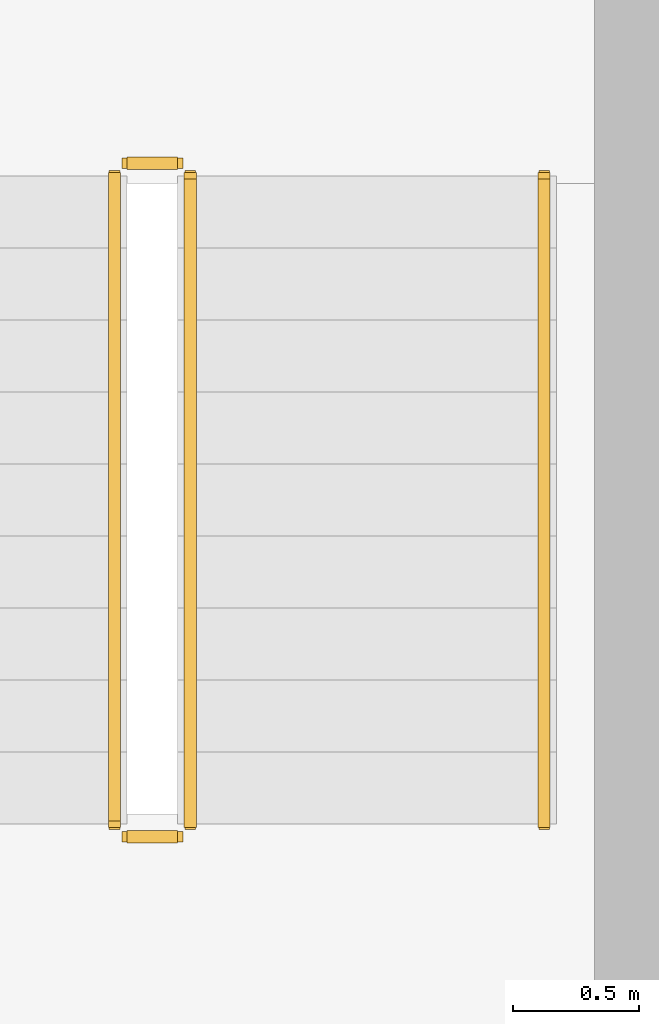
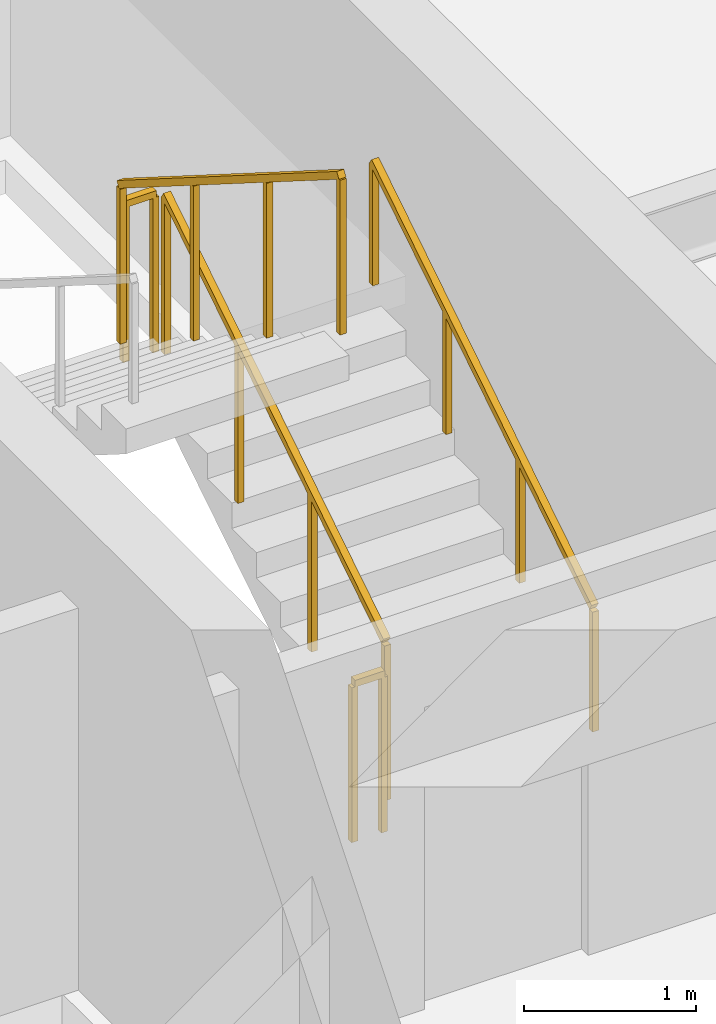
# One storey, part 22 of 22: 5 railings.
"""IFC4 building model written with IfcOpenShell, lengths in metres."""

from ifc_helpers import new_model, si_unit, direction, frame, origin, origin_2d, place, context, subcontext, project, spatial, rectangle, extrude, material, type_object, element, save


model = new_model("IFC4")

# Units and contexts
model_context = context("Model", 3, precision=1e-05, world=origin(), true_north=direction((0.0, 1.0)))
body_context = subcontext(model_context, "Body", "Model", "MODEL_VIEW")
ifc_project = project(units=[si_unit("LENGTHUNIT", "METRE"), si_unit("AREAUNIT", "SQUARE_METRE"), si_unit("VOLUMEUNIT", "CUBIC_METRE"), si_unit("PLANEANGLEUNIT", "RADIAN"), si_unit("MASSUNIT", "GRAM", prefix="KILO")], contexts=[model_context])

# Site, building, storey
site_placement = place(None, origin())
site = spatial("IfcSite", under=ifc_project, at=site_placement, CompositionType="ELEMENT")
building_placement = place(site_placement, origin())
building = spatial("IfcBuilding", under=site, at=building_placement, Name="Sarneth Arch Tower", CompositionType="ELEMENT")
storey_placement = place(building_placement, frame((0.0, 0.0, 213.60009765625)))
storey = spatial("IfcBuildingStorey", under=building, at=storey_placement, Name="L54", CompositionType="ELEMENT", Elevation=213.60009765625)

# Railings
ifc_material_1 = material(Name="Brushed Stainless Steel 304 tubular handrail", Category="steel")
railing_type_1 = type_object("IfcRailingType", Name="RAIL-HANDRAIL-900", PredefinedType="HANDRAIL", material=ifc_material_1)
railing_1_placement = place(storey_placement, frame((58.60009765625, 41.449951171875, 0.179931640625)))
element("IfcRailing", 1, at=railing_1_placement, inside=storey, type_object=railing_type_1, Name="L54 ST-2 stair handrail 1", PredefinedType="HANDRAIL", context=body_context, shape_type="SweptSolid", body=[
    extrude(rectangle(XDim=0.048095703125, YDim=0.048095703125, at=origin_2d()), frame((0.0, 0.0, 0.8759765625), z_axis=(0.0, 0.845502289212, 0.533971796014), x_axis=(-1.0, 0.0, 0.0)), (0.0, 0.0, 1.0), 3.03369140625),
    extrude(rectangle(XDim=0.0419921875, YDim=0.0419921875, at=origin_2d()), origin(), (0.0, 0.0, 1.0), 0.851806640625),
    extrude(rectangle(XDim=0.0419921875, YDim=0.0419921875, at=origin_2d()), frame((0.0, 0.85498046875, 0.5400390625)), (0.0, 0.0, 1.0), 0.851806640625),
    extrude(rectangle(XDim=0.0419921875, YDim=0.0419921875, at=origin_2d()), frame((0.0, 1.7099609375, 1.079833984375)), (0.0, 0.0, 1.0), 0.851806640625),
    extrude(rectangle(XDim=0.0419921875, YDim=0.0419921875, at=origin_2d()), frame((0.0, 2.56494140625, 1.619873046875)), (0.0, 0.0, 1.0), 0.851806640625),
])
ifc_material_2 = material(Name="Painted Steel S275 stair well guard", Category="steel")
railing_type_2 = type_object("IfcRailingType", Name="RAIL-STAIR-GUARD", PredefinedType="GUARDRAIL", material=ifc_material_2)
railing_2_placement = place(storey_placement, frame((57.199951171875, 41.449951171875, 0.179931640625)))
element("IfcRailing", 2, at=railing_2_placement, inside=storey, type_object=railing_type_2, Name="L54 ST-2 stair guard 1", PredefinedType="GUARDRAIL", context=body_context, shape_type="SweptSolid", body=[
    extrude(rectangle(XDim=0.048095703125, YDim=0.048095703125, at=origin_2d()), frame((0.0, 0.0, 1.1259765625), z_axis=(0.0, 0.845502289212, 0.533971796014), x_axis=(-1.0, 0.0, 0.0)), (0.0, 0.0, 1.0), 3.03369140625),
    extrude(rectangle(XDim=0.0419921875, YDim=0.0419921875, at=origin_2d()), origin(), (0.0, 0.0, 1.0), 1.101806640625),
    extrude(rectangle(XDim=0.0419921875, YDim=0.0419921875, at=origin_2d()), frame((0.0, 0.85498046875, 0.5400390625)), (0.0, 0.0, 1.0), 1.101806640625),
    extrude(rectangle(XDim=0.0419921875, YDim=0.0419921875, at=origin_2d()), frame((0.0, 1.7099609375, 1.079833984375)), (0.0, 0.0, 1.0), 1.101806640625),
    extrude(rectangle(XDim=0.0419921875, YDim=0.0419921875, at=origin_2d()), frame((0.0, 2.56494140625, 1.619873046875)), (0.0, 0.0, 1.0), 1.101806640625),
])
railing_3_placement = place(storey_placement, frame((57.14990234375, 44.06494140625, 1.7998046875)))
element("IfcRailing", 3, at=railing_3_placement, inside=storey, type_object=railing_type_2, Name="L54 ST-2 stair guard 2", PredefinedType="GUARDRAIL", context=body_context, shape_type="SweptSolid", body=[
    extrude(rectangle(XDim=0.048095703125, YDim=0.048095703125, at=origin_2d()), frame((0.0, 0.0, 1.1259765625), z_axis=(-1.0, 0.0, 0.0), x_axis=(0.0, -1.0, 0.0)), (0.0, 0.0, 1.0), 0.199951171875),
    extrude(rectangle(XDim=0.0419921875, YDim=0.0419921875, at=origin_2d()), origin(), (0.0, 0.0, 1.0), 1.101806640625),
    extrude(rectangle(XDim=0.0419921875, YDim=0.0419921875, at=origin_2d()), frame((-0.199951171875, 0.0, 0.0)), (0.0, 0.0, 1.0), 1.101806640625),
])
railing_4_placement = place(storey_placement, frame((56.89990234375, 44.014892578125, 1.97998046875)))
element("IfcRailing", 4, at=railing_4_placement, inside=storey, type_object=railing_type_2, Name="L54 ST-2 stair guard 3", PredefinedType="GUARDRAIL", context=body_context, shape_type="SweptSolid", body=[
    extrude(rectangle(XDim=0.048095703125, YDim=0.048095703125, at=origin_2d()), frame((0.0, 0.0, 1.1259765625), z_axis=(0.0, -0.845502289212, 0.533971796014), x_axis=(1.0, 0.0, 0.0)), (0.0, 0.0, 1.0), 3.03369140625),
    extrude(rectangle(XDim=0.0419921875, YDim=0.0419921875, at=origin_2d()), origin(), (0.0, 0.0, 1.0), 1.101806640625),
    extrude(rectangle(XDim=0.0419921875, YDim=0.0419921875, at=origin_2d()), frame((0.0, -0.85498046875, 0.5400390625)), (0.0, 0.0, 1.0), 1.101806640625),
    extrude(rectangle(XDim=0.0419921875, YDim=0.0419921875, at=origin_2d()), frame((0.0, -1.7099609375, 1.079833984375)), (0.0, 0.0, 1.0), 1.101806640625),
    extrude(rectangle(XDim=0.0419921875, YDim=0.0419921875, at=origin_2d()), frame((0.0, -2.56494140625, 1.619873046875)), (0.0, 0.0, 1.0), 1.101806640625),
])
railing_5_placement = place(storey_placement, frame((57.14990234375, 41.39990234375, 0.0)))
element("IfcRailing", 5, at=railing_5_placement, inside=storey, type_object=railing_type_2, Name="L54 ST-2 stair guard 4", PredefinedType="GUARDRAIL", context=body_context, shape_type="SweptSolid", body=[
    extrude(rectangle(XDim=0.048095703125, YDim=0.048095703125, at=origin_2d()), frame((0.0, 0.0, 1.1259765625), z_axis=(-1.0, 0.0, 0.0), x_axis=(0.0, -1.0, 0.0)), (0.0, 0.0, 1.0), 0.199951171875),
    extrude(rectangle(XDim=0.0419921875, YDim=0.0419921875, at=origin_2d()), origin(), (0.0, 0.0, 1.0), 1.101806640625),
    extrude(rectangle(XDim=0.0419921875, YDim=0.0419921875, at=origin_2d()), frame((-0.199951171875, 0.0, 0.0)), (0.0, 0.0, 1.0), 1.101806640625),
])

save(model, "model.ifc")
